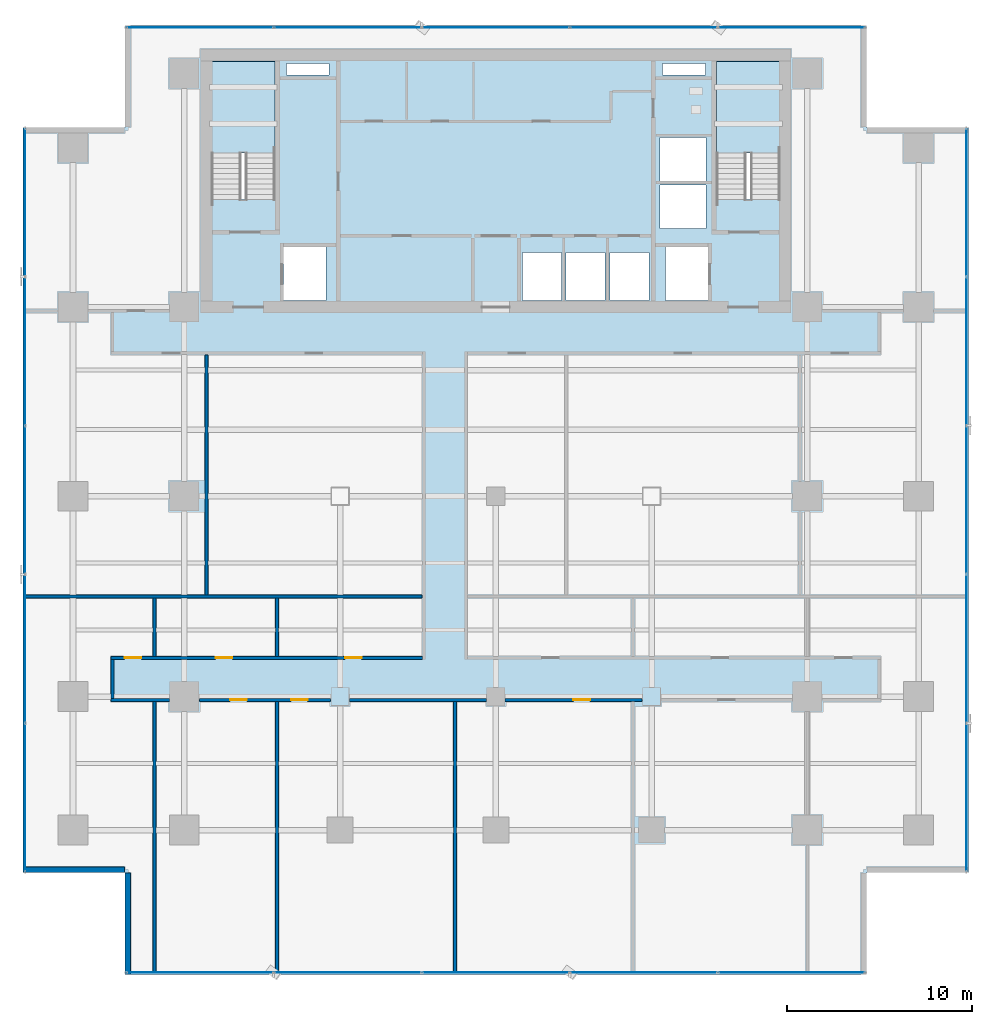
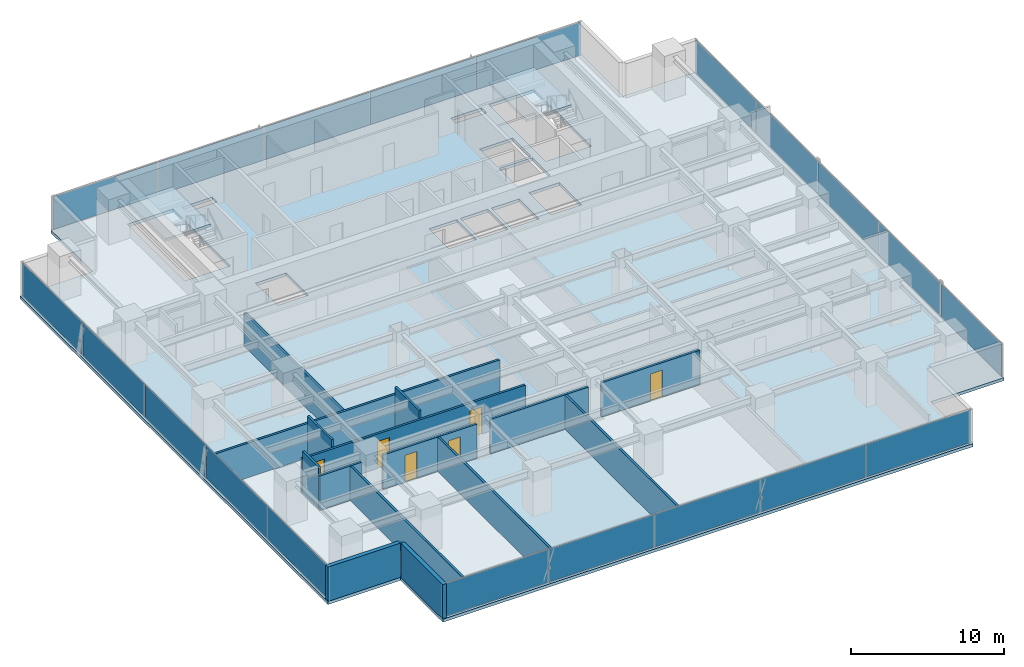
# One storey, part 25 of 34: 20 plates, 15 walls, 6 doors, 3 slabs, 6 openings, 6 elements without a shape of their own.
"""IFC4 building model written with IfcOpenShell, lengths in metres."""

import ifcopenshell
import ifcopenshell.guid

model = None  # the IFC model being written
_history = None  # IfcOwnerHistory: only IFC2X3 demands one
_inside = {}  # id of a spatial element -> (the spatial element, [elements in it])
_under = {}  # id of a project, library or spatial element -> (it, [spatial elements below it])
_declared = {}  # id of a project -> (the project, [libraries it declares])
_typed = {}  # id of a type object -> (the type object, [elements of that type])
_made_of = {}  # id of a material, layer set ... -> (it, [elements and type objects made of it])


def new_model(schema):
    """Start an empty IFC model of exactly this schema.

    Asked for "IFC4X3", IfcOpenShell would pick the latest addendum, in which some entities
    have other attributes; the version numbers below select the first issue.
    IFC2X3 requires an IfcOwnerHistory on every rooted entity: one is made here for all.
    """
    global model, _history
    if schema == "IFC4X3":
        model = ifcopenshell.file(schema_version=(4, 3, 0, 0))
    else:
        model = ifcopenshell.file(schema=schema)
    _inside.clear()
    _under.clear()
    _declared.clear()
    _typed.clear()
    _made_of.clear()
    _history = None
    if model.schema == "IFC2X3":
        org = make("IfcOrganization", Name="unknown")
        user = make(
            "IfcPersonAndOrganization",
            ThePerson=make("IfcPerson", FamilyName="unknown"),
            TheOrganization=org,
        )
        app = make(
            "IfcApplication",
            ApplicationDeveloper=org,
            Version="unknown",
            ApplicationFullName="unknown",
            ApplicationIdentifier="unknown",
        )
        _history = make(
            "IfcOwnerHistory",
            OwningUser=user,
            OwningApplication=app,
            ChangeAction="ADDED",
            CreationDate=0,
        )
    return model


def make(cls, **values):
    """One entity of the class cls with the attributes given. An attribute that is None is left unset."""
    return model.create_entity(
        cls, **{name: value for name, value in values.items() if value is not None}
    )


def rooted(cls, **values):
    """An entity with a GlobalId (a new one), such as an element, a storey or a relation."""
    return make(cls, GlobalId=ifcopenshell.guid.new(), OwnerHistory=_history, **values)


def si_unit(unit_type, name, prefix=None):
    """IfcSIUnit, for example si_unit("LENGTHUNIT", "METRE", prefix="MILLI")."""
    return make("IfcSIUnit", UnitType=unit_type, Prefix=prefix, Name=name)


def assignment(units):
    """IfcUnitAssignment: the units of a project."""
    return None if units is None else make("IfcUnitAssignment", Units=units)


def point(xyz):
    """IfcCartesianPoint."""
    return None if xyz is None else make("IfcCartesianPoint", Coordinates=xyz)


def direction(xyz):
    """IfcDirection."""
    return None if xyz is None else make("IfcDirection", DirectionRatios=xyz)


def frame(location, z_axis=None, x_axis=None):
    """IfcAxis2Placement3D, a coordinate frame: its origin and axes. An axis left out is left unset."""
    return make(
        "IfcAxis2Placement3D",
        Location=point(location),
        Axis=direction(z_axis),
        RefDirection=direction(x_axis),
    )


def frame_2d(location, x_axis=None):
    """IfcAxis2Placement2D, a coordinate frame in the plane: its origin and x axis."""
    return make(
        "IfcAxis2Placement2D", Location=point(location), RefDirection=direction(x_axis)
    )


def origin():
    """The frame at (0, 0, 0) with its axes left unset."""
    return frame((0.0, 0.0, 0.0))


def origin_2d():
    """The frame at (0, 0) in the plane with its x axis left unset."""
    return frame_2d((0.0, 0.0))


def place(relative_to, where):
    """IfcLocalPlacement: puts the frame where relative to a parent placement (None: the world)."""
    return make(
        "IfcLocalPlacement", PlacementRelTo=relative_to, RelativePlacement=where
    )


def context(
    kind, dimensions, precision=None, world=None, true_north=None, identifier=None
):
    """IfcGeometricRepresentationContext, for example the 3D "Model" context."""
    return make(
        "IfcGeometricRepresentationContext",
        ContextIdentifier=identifier,
        ContextType=kind,
        CoordinateSpaceDimension=dimensions,
        Precision=precision,
        WorldCoordinateSystem=world,
        TrueNorth=true_north,
    )


def subcontext(parent, identifier, kind, view, scale=None):
    """IfcGeometricRepresentationSubContext, for example "Body" below "Model"."""
    return make(
        "IfcGeometricRepresentationSubContext",
        ContextIdentifier=identifier,
        ContextType=kind,
        ParentContext=parent,
        TargetScale=scale,
        TargetView=view,
    )


def project(units=None, contexts=None):
    """IfcProject with its units and contexts."""
    return rooted(
        "IfcProject",
        Name="project",
        RepresentationContexts=contexts,
        UnitsInContext=assignment(units),
    )


def spatial(cls, under=None, at=None, **own):
    """A site, building, storey or space (cls), placed at a placement, below another one or the project."""
    s = rooted(cls, ObjectPlacement=at, **own)
    if under is not None:
        _under.setdefault(under.id(), (under, []))[1].append(s)
    return s


def polyline(points):
    """IfcPolyline through the points."""
    return make("IfcPolyline", Points=[point(p) for p in points])


def profile(cls, at=None, kind="AREA", **sizes):
    """A parametric profile (cls). Its sizes go by their IFC names, for example OverallWidth=200.0."""
    return make(cls, ProfileType=kind, Position=at, **sizes)


def rectangle(**sizes):
    """IfcRectangleProfileDef."""
    return profile("IfcRectangleProfileDef", **sizes)


def outline(outer, holes=None, kind="AREA"):
    """IfcArbitraryClosedProfileDef: a profile drawn as a closed curve; with holes, ...WithVoids."""
    if holes is None:
        return make("IfcArbitraryClosedProfileDef", ProfileType=kind, OuterCurve=outer)
    return make(
        "IfcArbitraryProfileDefWithVoids",
        ProfileType=kind,
        OuterCurve=outer,
        InnerCurves=holes,
    )


def extrude(swept, where, along, depth):
    """IfcExtrudedAreaSolid: the profile swept, set in the frame where, extruded along a direction by depth."""
    return make(
        "IfcExtrudedAreaSolid",
        SweptArea=swept,
        Position=where,
        ExtrudedDirection=direction(along),
        Depth=depth,
    )


def shape(context_of_items, identifier, shape_type, items):
    """IfcShapeRepresentation: the items that make up one representation, for example the "Body"."""
    return make(
        "IfcShapeRepresentation",
        ContextOfItems=context_of_items,
        RepresentationIdentifier=identifier,
        RepresentationType=shape_type,
        Items=items,
    )


def source(mapping_origin, context_of_items, identifier, shape_type, items):
    """IfcRepresentationMap: a shape defined once, which mapped items show again and again."""
    return make(
        "IfcRepresentationMap",
        MappingOrigin=mapping_origin,
        MappedRepresentation=shape(context_of_items, identifier, shape_type, items),
    )


def transform(
    local_origin,
    x_axis=None,
    y_axis=None,
    z_axis=None,
    scale=None,
    scale2=None,
    scale3=None,
    uniform=True,
):
    """IfcCartesianTransformationOperator3D, or its non-uniform kind. x_axis, y_axis, z_axis: its Axis1, 2, 3."""
    if uniform:
        return make(
            "IfcCartesianTransformationOperator3D",
            Axis1=direction(x_axis),
            Axis2=direction(y_axis),
            LocalOrigin=point(local_origin),
            Scale=scale,
            Axis3=direction(z_axis),
        )
    return make(
        "IfcCartesianTransformationOperator3DnonUniform",
        Axis1=direction(x_axis),
        Axis2=direction(y_axis),
        LocalOrigin=point(local_origin),
        Scale=scale,
        Axis3=direction(z_axis),
        Scale2=scale2,
        Scale3=scale3,
    )


def mapped(mapping_source, mapping_target):
    """IfcMappedItem: shows the shape of a source again, moved by a transform."""
    return make(
        "IfcMappedItem", MappingSource=mapping_source, MappingTarget=mapping_target
    )


def material(Name=None, Category=None):
    """IfcMaterial."""
    return make("IfcMaterial", Name=Name, Category=Category)


def layer(
    of_material, thickness, ventilated=None, Name=None, Category=None, Priority=None
):
    """IfcMaterialLayer: one layer of a wall or slab, of a material (None: an air gap)."""
    return make(
        "IfcMaterialLayer",
        Material=of_material,
        LayerThickness=thickness,
        IsVentilated=ventilated,
        Name=Name,
        Category=Category,
        Priority=Priority,
    )


def layer_set(layers, Name=None):
    """IfcMaterialLayerSet."""
    return make("IfcMaterialLayerSet", MaterialLayers=layers, LayerSetName=Name)


def made_of(thing, what):
    """Note that an element or type object is made of a material, layer set ...; save() writes the relation."""
    if what is not None:
        _made_of.setdefault(what.id(), (what, []))[1].append(thing)
    return thing


def type_object(cls, material=None, **own):
    """A type object (cls), such as IfcWallType, which elements share."""
    return made_of(rooted(cls, **own), material)


def element(
    cls,
    number,
    at=None,
    inside=None,
    cuts=None,
    type_object=None,
    material=None,
    context=None,
    identifier="Body",
    shape_type=None,
    held_by="IfcProductDefinitionShape",
    body=None,
    shapes=None,
    **own,
):
    """One element of the class cls, such as IfcWall. Its Tag is "e" and its number.

    at: its placement. inside: the storey or other place that contains it. cuts: it is an
    opening in that element (IfcRelVoidsElement). A single representation is given by context,
    identifier, shape_type and body (its items); several are given by shapes. held_by: the class
    of the entity that holds the representations. save() writes the other relations.
    """
    e = rooted(cls, Tag="e%d" % number, ObjectPlacement=at, **own)
    if body is not None:
        shapes = [shape(context, identifier, shape_type, body)]
    if shapes is not None:
        e.Representation = make(held_by, Representations=shapes)
    if inside is not None:
        _inside.setdefault(inside.id(), (inside, []))[1].append(e)
    if cuts is not None:
        rooted(
            "IfcRelVoidsElement", RelatingBuildingElement=cuts, RelatedOpeningElement=e
        )
    if type_object is not None:
        _typed.setdefault(type_object.id(), (type_object, []))[1].append(e)
    return made_of(e, material)


def fill(opening, filler):
    """IfcRelFillsElement: the door or window that sits in an opening."""
    return rooted(
        "IfcRelFillsElement",
        RelatingOpeningElement=opening,
        RelatedBuildingElement=filler,
    )


def aggregate(whole, parts):
    """IfcRelAggregates: a whole, such as a stair, and the parts it consists of."""
    return rooted("IfcRelAggregates", RelatingObject=whole, RelatedObjects=parts)


def save(model, path):
    """Write the relations noted so far, then the file.

    IfcRelAggregates (storeys below a building ...), IfcRelContainedInSpatialStructure (elements
    in a storey), IfcRelDefinesByType, IfcRelAssociatesMaterial and IfcRelDeclares: one each for
    every whole, place, type object, material and project.
    """
    for whole, parts in _under.values():
        aggregate(whole, parts)
    for where, things in _inside.values():
        rooted(
            "IfcRelContainedInSpatialStructure",
            RelatedElements=things,
            RelatingStructure=where,
        )
    for kind, things in _typed.values():
        rooted("IfcRelDefinesByType", RelatedObjects=things, RelatingType=kind)
    for what, things in _made_of.values():
        rooted("IfcRelAssociatesMaterial", RelatedObjects=things, RelatingMaterial=what)
    for by, libraries in _declared.values():
        rooted("IfcRelDeclares", RelatingContext=by, RelatedDefinitions=libraries)
    model.write(path)


model = new_model("IFC4")

# Units and contexts
model_context = context("Model", 3, precision=1e-05, world=origin(), true_north=direction((0.0, 1.0)))
body_context = subcontext(model_context, "Body", "Model", "MODEL_VIEW")
ifc_project = project(units=[si_unit("LENGTHUNIT", "METRE"), si_unit("AREAUNIT", "SQUARE_METRE"), si_unit("VOLUMEUNIT", "CUBIC_METRE"), si_unit("PLANEANGLEUNIT", "RADIAN"), si_unit("MASSUNIT", "GRAM", prefix="KILO")], contexts=[model_context])

# Site, building, storey
site_placement = place(None, origin())
site = spatial("IfcSite", under=ifc_project, at=site_placement, CompositionType="ELEMENT")
building_placement = place(site_placement, origin())
building = spatial("IfcBuilding", under=site, at=building_placement, Name="Sumidabori Civic Tower", CompositionType="ELEMENT")
storey_placement = place(building_placement, frame((0.0, 0.0, 106.39990234375)))
storey = spatial("IfcBuildingStorey", under=building, at=storey_placement, Name="L27", CompositionType="ELEMENT", Elevation=106.39990234375)

# Stair, slab
ifc_material_1 = material(Name="Concrete C40/50", Category="concrete")
stair_type = type_object("IfcStairType", Name="ST-CORE-1600", PredefinedType="HALF_TURN_STAIR", material=ifc_material_1)
stair_1_placement = place(storey_placement, origin())
stair_1 = element("IfcStair", 1, at=stair_1_placement, inside=storey, type_object=stair_type, Name="L27 ST-1", PredefinedType="HALF_TURN_STAIR")
ifc_layer_1 = layer(ifc_material_1, 0.199951171875, Name="Concrete C40/50")
ifc_layer_set_1 = layer_set([ifc_layer_1], Name="Concrete C40/50")
slab_type_1 = type_object("IfcSlabType", Name="SL-LAND-200", PredefinedType="LANDING", material=ifc_layer_set_1)
slab_1_placement = place(storey_placement, frame((0.0, 0.0, 1.60009765625)))
slab_1 = element("IfcSlab", 2, at=slab_1_placement, type_object=slab_type_1, Name="ST-1 landing 1", PredefinedType="LANDING", context=body_context, shape_type="SweptSolid", body=[
    extrude(outline(polyline([(-11.89990234375, 18.52001953125), (-11.89990234375, 23.449951171875), (-15.340087890625, 23.449951171875), (-15.340087890625, 18.52001953125), (-11.89990234375, 18.52001953125)])), origin(), (0.0, 0.0, 1.0), 0.199951171875),
])
aggregate(stair_1, [slab_1])

stair_2_placement = place(storey_placement, origin())
stair_2 = element("IfcStair", 3, at=stair_2_placement, inside=storey, type_object=stair_type, Name="L27 ST-2", PredefinedType="HALF_TURN_STAIR")
slab_2_placement = place(storey_placement, frame((0.0, 0.0, 1.60009765625)))
slab_2 = element("IfcSlab", 4, at=slab_2_placement, type_object=slab_type_1, Name="ST-2 landing 1", PredefinedType="LANDING", context=body_context, shape_type="SweptSolid", body=[
    extrude(outline(polyline([(15.340087890625, 18.52001953125), (15.340087890625, 23.449951171875), (11.89990234375, 23.449951171875), (11.89990234375, 18.52001953125), (15.340087890625, 18.52001953125)])), origin(), (0.0, 0.0, 1.0), 0.199951171875),
])
aggregate(stair_2, [slab_2])

# Slab
ifc_layer_2 = layer(ifc_material_1, 0.239990234375, Name="Concrete C40/50")
ifc_layer_set_2 = layer_set([ifc_layer_2], Name="Concrete C40/50")
slab_type_2 = type_object("IfcSlabType", Name="SL-Z1-240", PredefinedType="FLOOR", material=ifc_layer_set_2)
slab_3_placement = place(storey_placement, frame((0.0, 0.0, -0.239990234375)))
element("IfcSlab", 5, at=slab_3_placement, inside=storey, type_object=slab_type_2, Name="Structural Slab L27", PredefinedType="FLOOR", context=body_context, shape_type="SweptSolid", body=[
    extrude(outline(polyline([(-20.0, -25.800048828125), (20.0, -25.800048828125), (20.0, -20.300048828125), (25.5, -20.300048828125), (25.5, 19.89990234375), (20.0, 19.89990234375), (20.0, 25.39990234375), (-20.0, 25.39990234375), (-20.0, 19.89990234375), (-25.5, 19.89990234375), (-25.5, -20.300048828125), (-20.0, -20.300048828125), (-20.0, -25.800048828125)]), holes=[polyline([(-11.89990234375, 16.0), (-11.89990234375, 23.449951171875), (-15.340087890625, 23.449951171875), (-15.340087890625, 16.0), (-11.89990234375, 16.0)]), polyline([(15.340087890625, 16.0), (15.340087890625, 23.449951171875), (11.89990234375, 23.449951171875), (11.89990234375, 16.0), (15.340087890625, 16.0)]), polyline([(-11.449951171875, 10.550048828125), (-9.14990234375, 10.550048828125), (-9.14990234375, 13.449951171875), (-11.449951171875, 13.449951171875), (-11.449951171875, 10.550048828125)]), polyline([(9.14990234375, 10.550048828125), (11.449951171875, 10.550048828125), (11.449951171875, 13.449951171875), (9.14990234375, 13.449951171875), (9.14990234375, 10.550048828125)]), polyline([(1.449951171875, 10.550048828125), (3.550048828125, 10.550048828125), (3.550048828125, 13.14990234375), (1.449951171875, 13.14990234375), (1.449951171875, 10.550048828125)]), polyline([(3.800048828125, 10.550048828125), (5.89990234375, 10.550048828125), (5.89990234375, 13.14990234375), (3.800048828125, 13.14990234375), (3.800048828125, 10.550048828125)]), polyline([(6.14990234375, 10.550048828125), (8.25, 10.550048828125), (8.25, 13.14990234375), (6.14990234375, 13.14990234375), (6.14990234375, 10.550048828125)]), polyline([(8.85009765625, 14.449951171875), (11.35009765625, 14.449951171875), (11.35009765625, 16.800048828125), (8.85009765625, 16.800048828125), (8.85009765625, 14.449951171875)]), polyline([(8.85009765625, 17.0), (11.35009765625, 17.0), (11.35009765625, 19.35009765625), (8.85009765625, 19.35009765625), (8.85009765625, 17.0)]), polyline([(-11.300048828125, 22.719970703125), (-9.0, 22.719970703125), (-9.0, 23.35009765625), (-11.300048828125, 23.35009765625), (-11.300048828125, 22.719970703125)]), polyline([(9.0, 22.719970703125), (11.300048828125, 22.719970703125), (11.300048828125, 23.35009765625), (9.0, 23.35009765625), (9.0, 22.719970703125)])]), origin(), (0.0, 0.0, 1.0), 0.239990234375),
])

# Curtain wall, plates
ifc_material_2 = material(Name="Anodised Bronze Aluminium AW-6063-T6", Category="aluminium")
ifc_layer_3 = layer(ifc_material_2, 0.179931640625, Name="Anodised Bronze Aluminium AW-6063-T6")
ifc_layer_set_3 = layer_set([ifc_layer_3], Name="Anodised Bronze Aluminium AW-6063-T6")
curtain_wall_type = type_object("IfcCurtainWallType", Name="CW-SYS-3", PredefinedType="NOTDEFINED", material=ifc_layer_set_3)
curtain_wall_1_placement = place(storey_placement, origin())
curtain_wall_1 = element("IfcCurtainWall", 6, at=curtain_wall_1_placement, inside=storey, type_object=curtain_wall_type, Name="Curtain Wall CW:L27:R01", PredefinedType="NOTDEFINED")
ifc_material_3 = material(Name="Low-E Solar-Control Vision Glazing", Category="glass")
ifc_layer_4 = layer(ifc_material_3, 0.028076171875, Name="Low-E Solar-Control Vision Glazing")
ifc_layer_set_4 = layer_set([ifc_layer_4], Name="Low-E Solar-Control Vision Glazing")
plate_type = type_object("IfcPlateType", Name="CW-PNL-28", PredefinedType="CURTAIN_PANEL", material=ifc_layer_set_4)
shared_shape_1 = source(origin(), body_context, "Body", "SweptSolid", [
    extrude(rectangle(XDim=7.890380859375, YDim=0.028076171875, at=origin_2d()), origin(), (0.0, 0.0, 1.0), 2.6201171875),
])
plate_1_placement = place(storey_placement, frame((-15.959716796875, -25.679931640625, 0.06005859375), z_axis=(0.0, 0.0, 1.0), x_axis=(1.0, 0.0, 0.0)))
plate_1 = element("IfcPlate", 7, at=plate_1_placement, type_object=plate_type, Name="CW-3 panel 1.1", PredefinedType="CURTAIN_PANEL", context=body_context, shape_type="MappedRepresentation", body=[
    mapped(shared_shape_1, transform((0.0, 0.0, 0.0), x_axis=(1.0, 0.0, 0.0), y_axis=(0.0, 1.0, 0.0), z_axis=(0.0, 0.0, 1.0), scale=1.0)),
])
plate_2_placement = place(storey_placement, frame((15.959716796875, -25.679931640625, 0.06005859375), z_axis=(0.0, 0.0, 1.0), x_axis=(1.0, 0.0, 0.0)))
plate_2 = element("IfcPlate", 8, at=plate_2_placement, type_object=plate_type, Name="CW-3 panel 5.1", PredefinedType="CURTAIN_PANEL", context=body_context, shape_type="MappedRepresentation", body=[
    mapped(shared_shape_1, transform((0.0, 0.0, 0.0), x_axis=(1.0, 0.0, 0.0), y_axis=(0.0, 1.0, 0.0), z_axis=(0.0, 0.0, 1.0), scale=1.0)),
])

curtain_wall_2_placement = place(storey_placement, origin())
curtain_wall_2 = element("IfcCurtainWall", 9, at=curtain_wall_2_placement, inside=storey, type_object=curtain_wall_type, Name="Curtain Wall CW:L27:R07", PredefinedType="NOTDEFINED")
plate_3_placement = place(storey_placement, frame((15.959716796875, 25.280029296875, 0.06005859375), z_axis=(0.0, 0.0, 1.0), x_axis=(-1.0, 0.0, 0.0)))
plate_3 = element("IfcPlate", 10, at=plate_3_placement, type_object=plate_type, Name="CW-3 panel 1.1", PredefinedType="CURTAIN_PANEL", context=body_context, shape_type="MappedRepresentation", body=[
    mapped(shared_shape_1, transform((0.0, 0.0, 0.0), x_axis=(1.0, 0.0, 0.0), y_axis=(0.0, 1.0, 0.0), z_axis=(0.0, 0.0, 1.0), scale=1.0)),
])
plate_4_placement = place(storey_placement, frame((-15.959716796875, 25.280029296875, 0.06005859375), z_axis=(0.0, 0.0, 1.0), x_axis=(-1.0, 0.0, 0.0)))
plate_4 = element("IfcPlate", 11, at=plate_4_placement, type_object=plate_type, Name="CW-3 panel 5.1", PredefinedType="CURTAIN_PANEL", context=body_context, shape_type="MappedRepresentation", body=[
    mapped(shared_shape_1, transform((0.0, 0.0, 0.0), x_axis=(1.0, 0.0, 0.0), y_axis=(0.0, 1.0, 0.0), z_axis=(0.0, 0.0, 1.0), scale=1.0)),
])

# Plate
shared_shape_2 = source(origin(), body_context, "Body", "SweptSolid", [
    extrude(rectangle(XDim=7.923095703125, YDim=0.028076171875, at=origin_2d()), origin(), (0.0, 0.0, 1.0), 2.6201171875),
])
plate_5_placement = place(storey_placement, frame((-7.988037109375, -25.679931640625, 0.06005859375), z_axis=(0.0, 0.0, 1.0), x_axis=(1.0, 0.0, 0.0)))
plate_5 = element("IfcPlate", 12, at=plate_5_placement, type_object=plate_type, Name="CW-3 panel 2.1", PredefinedType="CURTAIN_PANEL", context=body_context, shape_type="MappedRepresentation", body=[
    mapped(shared_shape_2, transform((0.0, 0.0, 0.0), x_axis=(1.0, 0.0, 0.0), y_axis=(0.0, 1.0, 0.0), z_axis=(0.0, 0.0, 1.0), scale=1.0)),
])

plate_6_placement = place(storey_placement, frame((0.0, -25.679931640625, 0.06005859375), z_axis=(0.0, 0.0, 1.0), x_axis=(1.0, 0.0, 0.0)))
plate_6 = element("IfcPlate", 13, at=plate_6_placement, type_object=plate_type, Name="CW-3 panel 3.1", PredefinedType="CURTAIN_PANEL", context=body_context, shape_type="MappedRepresentation", body=[
    mapped(shared_shape_2, transform((0.0, 0.0, 0.0), x_axis=(1.0, 0.0, 0.0), y_axis=(0.0, 1.0, 0.0), z_axis=(0.0, 0.0, 1.0), scale=1.0)),
])

plate_7_placement = place(storey_placement, frame((7.988037109375, -25.679931640625, 0.06005859375), z_axis=(0.0, 0.0, 1.0), x_axis=(1.0, 0.0, 0.0)))
plate_7 = element("IfcPlate", 14, at=plate_7_placement, type_object=plate_type, Name="CW-3 panel 4.1", PredefinedType="CURTAIN_PANEL", context=body_context, shape_type="MappedRepresentation", body=[
    mapped(shared_shape_2, transform((0.0, 0.0, 0.0), x_axis=(1.0, 0.0, 0.0), y_axis=(0.0, 1.0, 0.0), z_axis=(0.0, 0.0, 1.0), scale=1.0)),
])

aggregate(curtain_wall_1, [plate_1, plate_5, plate_6, plate_7, plate_2])

plate_8_placement = place(storey_placement, frame((7.988037109375, 25.280029296875, 0.06005859375), z_axis=(0.0, 0.0, 1.0), x_axis=(-1.0, 0.0, 0.0)))
plate_8 = element("IfcPlate", 15, at=plate_8_placement, type_object=plate_type, Name="CW-3 panel 2.1", PredefinedType="CURTAIN_PANEL", context=body_context, shape_type="MappedRepresentation", body=[
    mapped(shared_shape_2, transform((0.0, 0.0, 0.0), x_axis=(1.0, 0.0, 0.0), y_axis=(0.0, 1.0, 0.0), z_axis=(0.0, 0.0, 1.0), scale=1.0)),
])

plate_9_placement = place(storey_placement, frame((0.0, 25.280029296875, 0.06005859375), z_axis=(0.0, 0.0, 1.0), x_axis=(-1.0, 0.0, 0.0)))
plate_9 = element("IfcPlate", 16, at=plate_9_placement, type_object=plate_type, Name="CW-3 panel 3.1", PredefinedType="CURTAIN_PANEL", context=body_context, shape_type="MappedRepresentation", body=[
    mapped(shared_shape_2, transform((0.0, 0.0, 0.0), x_axis=(1.0, 0.0, 0.0), y_axis=(0.0, 1.0, 0.0), z_axis=(0.0, 0.0, 1.0), scale=1.0)),
])

plate_10_placement = place(storey_placement, frame((-7.988037109375, 25.280029296875, 0.06005859375), z_axis=(0.0, 0.0, 1.0), x_axis=(-1.0, 0.0, 0.0)))
plate_10 = element("IfcPlate", 17, at=plate_10_placement, type_object=plate_type, Name="CW-3 panel 4.1", PredefinedType="CURTAIN_PANEL", context=body_context, shape_type="MappedRepresentation", body=[
    mapped(shared_shape_2, transform((0.0, 0.0, 0.0), x_axis=(1.0, 0.0, 0.0), y_axis=(0.0, 1.0, 0.0), z_axis=(0.0, 0.0, 1.0), scale=1.0)),
])

aggregate(curtain_wall_2, [plate_3, plate_8, plate_9, plate_10, plate_4])

# Curtain wall, plates
curtain_wall_3_placement = place(storey_placement, origin())
curtain_wall_3 = element("IfcCurtainWall", 18, at=curtain_wall_3_placement, inside=storey, type_object=curtain_wall_type, Name="Curtain Wall CW:L27:R04", PredefinedType="NOTDEFINED")
shared_shape_3 = source(origin(), body_context, "Body", "SweptSolid", [
    extrude(rectangle(XDim=7.930419921875, YDim=0.028076171875, at=origin_2d()), origin(), (0.0, 0.0, 1.0), 2.6201171875),
])
plate_11_placement = place(storey_placement, frame((25.3798828125, -16.23974609375, 0.06005859375), z_axis=(0.0, 0.0, 1.0), x_axis=(0.0, 1.0, 0.0)))
plate_11 = element("IfcPlate", 19, at=plate_11_placement, type_object=plate_type, Name="CW-3 panel 1.1", PredefinedType="CURTAIN_PANEL", context=body_context, shape_type="MappedRepresentation", body=[
    mapped(shared_shape_3, transform((0.0, 0.0, 0.0), x_axis=(1.0, 0.0, 0.0), y_axis=(0.0, 1.0, 0.0), z_axis=(0.0, 0.0, 1.0), scale=1.0)),
])
plate_12_placement = place(storey_placement, frame((25.3798828125, 15.83984375, 0.06005859375), z_axis=(0.0, 0.0, 1.0), x_axis=(0.0, 1.0, 0.0)))
plate_12 = element("IfcPlate", 20, at=plate_12_placement, type_object=plate_type, Name="CW-3 panel 5.1", PredefinedType="CURTAIN_PANEL", context=body_context, shape_type="MappedRepresentation", body=[
    mapped(shared_shape_3, transform((0.0, 0.0, 0.0), x_axis=(1.0, 0.0, 0.0), y_axis=(0.0, 1.0, 0.0), z_axis=(0.0, 0.0, 1.0), scale=1.0)),
])

curtain_wall_4_placement = place(storey_placement, origin())
curtain_wall_4 = element("IfcCurtainWall", 21, at=curtain_wall_4_placement, inside=storey, type_object=curtain_wall_type, Name="Curtain Wall CW:L27:R10", PredefinedType="NOTDEFINED")
plate_13_placement = place(storey_placement, frame((-25.3798828125, 15.83984375, 0.06005859375), z_axis=(0.0, 0.0, 1.0), x_axis=(0.0, -1.0, 0.0)))
plate_13 = element("IfcPlate", 22, at=plate_13_placement, type_object=plate_type, Name="CW-3 panel 1.1", PredefinedType="CURTAIN_PANEL", context=body_context, shape_type="MappedRepresentation", body=[
    mapped(shared_shape_3, transform((0.0, 0.0, 0.0), x_axis=(1.0, 0.0, 0.0), y_axis=(0.0, 1.0, 0.0), z_axis=(0.0, 0.0, 1.0), scale=1.0)),
])
plate_14_placement = place(storey_placement, frame((-25.3798828125, -16.23974609375, 0.06005859375), z_axis=(0.0, 0.0, 1.0), x_axis=(0.0, -1.0, 0.0)))
plate_14 = element("IfcPlate", 23, at=plate_14_placement, type_object=plate_type, Name="CW-3 panel 5.1", PredefinedType="CURTAIN_PANEL", context=body_context, shape_type="MappedRepresentation", body=[
    mapped(shared_shape_3, transform((0.0, 0.0, 0.0), x_axis=(1.0, 0.0, 0.0), y_axis=(0.0, 1.0, 0.0), z_axis=(0.0, 0.0, 1.0), scale=1.0)),
])

# Plate
shared_shape_4 = source(origin(), body_context, "Body", "SweptSolid", [
    extrude(rectangle(XDim=7.962890625, YDim=0.028076171875, at=origin_2d()), origin(), (0.0, 0.0, 1.0), 2.6201171875),
])
plate_15_placement = place(storey_placement, frame((25.3798828125, -8.22802734375, 0.06005859375), z_axis=(0.0, 0.0, 1.0), x_axis=(0.0, 1.0, 0.0)))
plate_15 = element("IfcPlate", 24, at=plate_15_placement, type_object=plate_type, Name="CW-3 panel 2.1", PredefinedType="CURTAIN_PANEL", context=body_context, shape_type="MappedRepresentation", body=[
    mapped(shared_shape_4, transform((0.0, 0.0, 0.0), x_axis=(1.0, 0.0, 0.0), y_axis=(0.0, 1.0, 0.0), z_axis=(0.0, 0.0, 1.0), scale=1.0)),
])

plate_16_placement = place(storey_placement, frame((25.3798828125, -0.199951171875, 0.06005859375), z_axis=(0.0, 0.0, 1.0), x_axis=(0.0, 1.0, 0.0)))
plate_16 = element("IfcPlate", 25, at=plate_16_placement, type_object=plate_type, Name="CW-3 panel 3.1", PredefinedType="CURTAIN_PANEL", context=body_context, shape_type="MappedRepresentation", body=[
    mapped(shared_shape_4, transform((0.0, 0.0, 0.0), x_axis=(1.0, 0.0, 0.0), y_axis=(0.0, 1.0, 0.0), z_axis=(0.0, 0.0, 1.0), scale=1.0)),
])

plate_17_placement = place(storey_placement, frame((25.3798828125, 7.827880859375, 0.06005859375), z_axis=(0.0, 0.0, 1.0), x_axis=(0.0, 1.0, 0.0)))
plate_17 = element("IfcPlate", 26, at=plate_17_placement, type_object=plate_type, Name="CW-3 panel 4.1", PredefinedType="CURTAIN_PANEL", context=body_context, shape_type="MappedRepresentation", body=[
    mapped(shared_shape_4, transform((0.0, 0.0, 0.0), x_axis=(1.0, 0.0, 0.0), y_axis=(0.0, 1.0, 0.0), z_axis=(0.0, 0.0, 1.0), scale=1.0)),
])

aggregate(curtain_wall_3, [plate_11, plate_15, plate_16, plate_17, plate_12])

plate_18_placement = place(storey_placement, frame((-25.3798828125, 7.827880859375, 0.06005859375), z_axis=(0.0, 0.0, 1.0), x_axis=(0.0, -1.0, 0.0)))
plate_18 = element("IfcPlate", 27, at=plate_18_placement, type_object=plate_type, Name="CW-3 panel 2.1", PredefinedType="CURTAIN_PANEL", context=body_context, shape_type="MappedRepresentation", body=[
    mapped(shared_shape_4, transform((0.0, 0.0, 0.0), x_axis=(1.0, 0.0, 0.0), y_axis=(0.0, 1.0, 0.0), z_axis=(0.0, 0.0, 1.0), scale=1.0)),
])

plate_19_placement = place(storey_placement, frame((-25.3798828125, -0.199951171875, 0.06005859375), z_axis=(0.0, 0.0, 1.0), x_axis=(0.0, -1.0, 0.0)))
plate_19 = element("IfcPlate", 28, at=plate_19_placement, type_object=plate_type, Name="CW-3 panel 3.1", PredefinedType="CURTAIN_PANEL", context=body_context, shape_type="MappedRepresentation", body=[
    mapped(shared_shape_4, transform((0.0, 0.0, 0.0), x_axis=(1.0, 0.0, 0.0), y_axis=(0.0, 1.0, 0.0), z_axis=(0.0, 0.0, 1.0), scale=1.0)),
])

plate_20_placement = place(storey_placement, frame((-25.3798828125, -8.22802734375, 0.06005859375), z_axis=(0.0, 0.0, 1.0), x_axis=(0.0, -1.0, 0.0)))
plate_20 = element("IfcPlate", 29, at=plate_20_placement, type_object=plate_type, Name="CW-3 panel 4.1", PredefinedType="CURTAIN_PANEL", context=body_context, shape_type="MappedRepresentation", body=[
    mapped(shared_shape_4, transform((0.0, 0.0, 0.0), x_axis=(1.0, 0.0, 0.0), y_axis=(0.0, 1.0, 0.0), z_axis=(0.0, 0.0, 1.0), scale=1.0)),
])

aggregate(curtain_wall_4, [plate_13, plate_18, plate_19, plate_20, plate_14])

# Walls
ifc_material_4 = material(Name="Precast concrete C40/50", Category="concrete")
ifc_layer_5 = layer(ifc_material_4, 0.300048828125, Name="Precast concrete C40/50")
ifc_layer_set_5 = layer_set([ifc_layer_5], Name="Precast concrete C40/50")
wall_type_1 = type_object("IfcWallType", Name="WL-EXT-POD300", PredefinedType="STANDARD", material=ifc_layer_set_5)
shared_shape_5 = source(origin(), body_context, "Body", "SweptSolid", [
    extrude(rectangle(XDim=5.4599609375, YDim=0.300048828125, at=frame_2d((2.72998046875, 0.0))), origin(), (0.0, 0.0, 1.0), 2.739990234375),
])
for number, where, z_axis, x_axis, name in (
    (30, (-25.47998046875, -20.14990234375, 0.0), (0.0, 0.0, 1.0), (1.0, 0.0, 0.0), "Notched Corner Spandrel Band L27-11"),
    (31, (-19.85009765625, -20.320068359375, 0.0), (0.0, 0.0, 1.0), (0.0, -1.0, 0.0), "Notched Corner Spandrel Band L27-12"),
):
    element("IfcWall", number, at=place(storey_placement, frame(where, z_axis=z_axis, x_axis=x_axis)), inside=storey, type_object=wall_type_1, Name=name, PredefinedType="STANDARD", context=body_context, shape_type="MappedRepresentation", body=[
        mapped(shared_shape_5, transform((0.0, 0.0, 0.0), x_axis=(1.0, 0.0, 0.0), y_axis=(0.0, 1.0, 0.0), z_axis=(0.0, 0.0, 1.0), scale=1.0)),
    ])
ifc_material_5 = material(Name="Gypsum Plasterboard Acoustic Partition")
ifc_layer_6 = layer(ifc_material_5, 0.1650390625, Name="Gypsum Plasterboard Acoustic Partition")
ifc_layer_set_6 = layer_set([ifc_layer_6], Name="Gypsum Plasterboard Acoustic Partition")
wall_type_2 = type_object("IfcWallType", Name="WL-PART-165", PredefinedType="PARTITIONING", material=ifc_layer_set_6)
shared_shape_6 = source(origin(), body_context, "Body", "SweptSolid", [
    extrude(rectangle(XDim=12.9423828125, YDim=0.1650390625, at=frame_2d((6.47119140625, 0.0))), origin(), (0.0, 0.0, 1.0), 2.64501953125),
])
wall_1_placement = place(storey_placement, frame((-15.60009765625, -5.3125, 0.0), z_axis=(0.0, 0.0, 1.0), x_axis=(0.0, 1.0, 0.0)))
element("IfcWall", 32, at=wall_1_placement, inside=storey, type_object=wall_type_2, Name="Interior Partition WL:L27:VX-N1", PredefinedType="PARTITIONING", context=body_context, shape_type="MappedRepresentation", body=[
    mapped(shared_shape_6, transform((0.0, 0.0, 0.0), x_axis=(1.0, 0.0, 0.0), y_axis=(0.0, 1.0, 0.0), z_axis=(0.0, 0.0, 1.0), scale=1.0)),
])

# Wall, openings, doors
shared_shape_7 = source(origin(), body_context, "Body", "SweptSolid", [
    extrude(rectangle(XDim=16.7998046875, YDim=0.1650390625, at=frame_2d((8.39990234375, 0.0))), origin(), (0.0, 0.0, 1.0), 2.7451171875),
])
wall_2_placement = place(storey_placement, frame((-20.764892578125, -8.717529296875, 0.0), z_axis=(0.0, 0.0, 1.0), x_axis=(1.0, 0.0, 0.0)))
wall_2 = element("IfcWall", 33, at=wall_2_placement, inside=storey, type_object=wall_type_2, Name="Interior Partition WL:L27:CORR-MNW", PredefinedType="PARTITIONING", context=body_context, shape_type="MappedRepresentation", body=[
    mapped(shared_shape_7, transform((0.0, 0.0, 0.0), x_axis=(1.0, 0.0, 0.0), y_axis=(0.0, 1.0, 0.0), z_axis=(0.0, 0.0, 1.0), scale=1.0)),
])
opening_1_placement = place(wall_2_placement, frame((5.655029296875, 0.0, 0.0)))
opening_1 = element("IfcOpeningElement", 34, at=opening_1_placement, cuts=wall_2, Name="Opening DR-1", PredefinedType="OPENING", context=body_context, shape_type="SweptSolid", body=[
    extrude(rectangle(XDim=0.89990234375, YDim=2.14990234375, at=frame_2d((0.449951171875, 1.074951171875))), frame((0.0, 0.094482421875, 0.0), z_axis=(0.0, -1.0, 0.0), x_axis=(1.0, 0.0, 0.0)), (0.0, 0.0, 1.0), 0.18896484375),
])
opening_2_placement = place(wall_2_placement, frame((12.6337890625, 0.0, 0.0)))
opening_2 = element("IfcOpeningElement", 35, at=opening_2_placement, cuts=wall_2, Name="Opening DR-1", PredefinedType="OPENING", context=body_context, shape_type="SweptSolid", body=[
    extrude(rectangle(XDim=0.89990234375, YDim=2.14990234375, at=frame_2d((0.449951171875, 1.074951171875))), frame((0.0, 0.094482421875, 0.0), z_axis=(0.0, -1.0, 0.0), x_axis=(1.0, 0.0, 0.0)), (0.0, 0.0, 1.0), 0.18896484375),
])
opening_3_placement = place(wall_2_placement, frame((0.75390625, 0.0, 0.0)))
opening_3 = element("IfcOpeningElement", 36, at=opening_3_placement, cuts=wall_2, Name="Opening DR-1", PredefinedType="OPENING", context=body_context, shape_type="SweptSolid", body=[
    extrude(rectangle(XDim=0.89990234375, YDim=2.14990234375, at=frame_2d((0.449951171875, 1.074951171875))), frame((0.0, 0.094482421875, 0.0), z_axis=(0.0, -1.0, 0.0), x_axis=(1.0, 0.0, 0.0)), (0.0, 0.0, 1.0), 0.18896484375),
])
ifc_material_6 = material(Name="Japanese Hinoki Timber", Category="wood")
door_type = type_object("IfcDoorType", Name="DR-INT-900", OperationType="NOTDEFINED", PredefinedType="DOOR", material=ifc_material_6)
shared_shape_8 = source(origin(), body_context, "Body", "SweptSolid", [
    extrude(rectangle(XDim=0.89990234375, YDim=2.14990234375, at=frame_2d((0.449951171875, 1.074951171875))), frame((0.0, 0.02490234375, 0.0), z_axis=(0.0, -1.0, 0.0), x_axis=(1.0, 0.0, 0.0)), (0.0, 0.0, 1.0), 0.050048828125),
])
door_1_placement = place(opening_1_placement, origin())
door_1 = element("IfcDoor", 37, at=door_1_placement, inside=storey, type_object=door_type, Name="Door DR:L27:D07", OperationType="SINGLE_SWING_LEFT", OverallHeight=2.14990234375, OverallWidth=0.89990234375, PredefinedType="DOOR", context=body_context, shape_type="MappedRepresentation", body=[
    mapped(shared_shape_8, transform((0.0, 0.0, 0.0), x_axis=(1.0, 0.0, 0.0), y_axis=(0.0, 1.0, 0.0), z_axis=(0.0, 0.0, 1.0), scale=1.0)),
])
fill(opening_1, door_1)
door_2_placement = place(opening_2_placement, origin())
door_2 = element("IfcDoor", 38, at=door_2_placement, inside=storey, type_object=door_type, Name="Door DR:L27:D08", OperationType="SINGLE_SWING_RIGHT", OverallHeight=2.14990234375, OverallWidth=0.89990234375, PredefinedType="DOOR", context=body_context, shape_type="MappedRepresentation", body=[
    mapped(shared_shape_8, transform((0.0, 0.0, 0.0), x_axis=(1.0, 0.0, 0.0), y_axis=(0.0, 1.0, 0.0), z_axis=(0.0, 0.0, 1.0), scale=1.0)),
])
fill(opening_2, door_2)
door_3_placement = place(opening_3_placement, origin())
door_3 = element("IfcDoor", 39, at=door_3_placement, inside=storey, type_object=door_type, Name="Door DR:L27:D11", OperationType="SINGLE_SWING_LEFT", OverallHeight=2.14990234375, OverallWidth=0.89990234375, PredefinedType="DOOR", context=body_context, shape_type="MappedRepresentation", body=[
    mapped(shared_shape_8, transform((0.0, 0.0, 0.0), x_axis=(1.0, 0.0, 0.0), y_axis=(0.0, 1.0, 0.0), z_axis=(0.0, 0.0, 1.0), scale=1.0)),
])
fill(opening_3, door_3)

# Wall
shared_shape_9 = source(origin(), body_context, "Body", "SweptSolid", [
    extrude(rectangle(XDim=3.15478515625, YDim=0.1650390625, at=frame_2d((1.577392578125, 0.0))), origin(), (0.0, 0.0, 1.0), 2.7451171875),
])
wall_3_placement = place(storey_placement, frame((-20.764892578125, -10.982421875, 0.0), z_axis=(0.0, 0.0, 1.0), x_axis=(1.0, 0.0, 0.0)))
element("IfcWall", 40, at=wall_3_placement, inside=storey, type_object=wall_type_2, Name="Interior Partition WL:L27:CORR-SS-1", PredefinedType="PARTITIONING", context=body_context, shape_type="MappedRepresentation", body=[
    mapped(shared_shape_9, transform((0.0, 0.0, 0.0), x_axis=(1.0, 0.0, 0.0), y_axis=(0.0, 1.0, 0.0), z_axis=(0.0, 0.0, 1.0), scale=1.0)),
])

# Wall, openings, doors
shared_shape_10 = source(origin(), body_context, "Body", "SweptSolid", [
    extrude(rectangle(XDim=7.080078125, YDim=0.1650390625, at=frame_2d((3.5400390625, 0.0))), origin(), (0.0, 0.0, 1.0), 2.7451171875),
])
wall_4_placement = place(storey_placement, frame((-15.989990234375, -10.982421875, 0.0), z_axis=(0.0, 0.0, 1.0), x_axis=(1.0, 0.0, 0.0)))
wall_4 = element("IfcWall", 41, at=wall_4_placement, inside=storey, type_object=wall_type_2, Name="Interior Partition WL:L27:CORR-SS-2", PredefinedType="PARTITIONING", context=body_context, shape_type="MappedRepresentation", body=[
    mapped(shared_shape_10, transform((0.0, 0.0, 0.0), x_axis=(1.0, 0.0, 0.0), y_axis=(0.0, 1.0, 0.0), z_axis=(0.0, 0.0, 1.0), scale=1.0)),
])
opening_4_placement = place(wall_4_placement, frame((1.663818359375, 0.0, 0.0)))
opening_4 = element("IfcOpeningElement", 42, at=opening_4_placement, cuts=wall_4, Name="Opening DR-1", PredefinedType="OPENING", context=body_context, shape_type="SweptSolid", body=[
    extrude(rectangle(XDim=0.89990234375, YDim=2.14990234375, at=frame_2d((0.449951171875, 1.074951171875))), frame((0.0, 0.094482421875, 0.0), z_axis=(0.0, -1.0, 0.0), x_axis=(1.0, 0.0, 0.0)), (0.0, 0.0, 1.0), 0.18896484375),
])
opening_5_placement = place(wall_4_placement, frame((4.9462890625, 0.0, 0.0)))
opening_5 = element("IfcOpeningElement", 43, at=opening_5_placement, cuts=wall_4, Name="Opening DR-1", PredefinedType="OPENING", context=body_context, shape_type="SweptSolid", body=[
    extrude(rectangle(XDim=0.89990234375, YDim=2.14990234375, at=frame_2d((0.449951171875, 1.074951171875))), frame((0.0, 0.094482421875, 0.0), z_axis=(0.0, -1.0, 0.0), x_axis=(1.0, 0.0, 0.0)), (0.0, 0.0, 1.0), 0.18896484375),
])
door_4_placement = place(opening_4_placement, origin())
door_4 = element("IfcDoor", 44, at=door_4_placement, inside=storey, type_object=door_type, Name="Door DR:L27:D13", OperationType="SINGLE_SWING_LEFT", OverallHeight=2.14990234375, OverallWidth=0.89990234375, PredefinedType="DOOR", context=body_context, shape_type="MappedRepresentation", body=[
    mapped(shared_shape_8, transform((0.0, 0.0, 0.0), x_axis=(1.0, 0.0, 0.0), y_axis=(0.0, 1.0, 0.0), z_axis=(0.0, 0.0, 1.0), scale=1.0)),
])
fill(opening_4, door_4)
door_5_placement = place(opening_5_placement, origin())
door_5 = element("IfcDoor", 45, at=door_5_placement, inside=storey, type_object=door_type, Name="Door DR:L27:D14", OperationType="SINGLE_SWING_RIGHT", OverallHeight=2.14990234375, OverallWidth=0.89990234375, PredefinedType="DOOR", context=body_context, shape_type="MappedRepresentation", body=[
    mapped(shared_shape_8, transform((0.0, 0.0, 0.0), x_axis=(1.0, 0.0, 0.0), y_axis=(0.0, 1.0, 0.0), z_axis=(0.0, 0.0, 1.0), scale=1.0)),
])
fill(opening_5, door_5)

# Wall
shared_shape_11 = source(origin(), body_context, "Body", "SweptSolid", [
    extrude(rectangle(XDim=7.3798828125, YDim=0.1650390625, at=frame_2d((3.68994140625, 0.0))), origin(), (0.0, 0.0, 1.0), 2.7451171875),
])
wall_5_placement = place(storey_placement, frame((-7.889892578125, -10.982421875, 0.0), z_axis=(0.0, 0.0, 1.0), x_axis=(1.0, 0.0, 0.0)))
element("IfcWall", 46, at=wall_5_placement, inside=storey, type_object=wall_type_2, Name="Interior Partition WL:L27:CORR-SS-3", PredefinedType="PARTITIONING", context=body_context, shape_type="MappedRepresentation", body=[
    mapped(shared_shape_11, transform((0.0, 0.0, 0.0), x_axis=(1.0, 0.0, 0.0), y_axis=(0.0, 1.0, 0.0), z_axis=(0.0, 0.0, 1.0), scale=1.0)),
])

# Wall, opening, door
wall_6_placement = place(storey_placement, frame((0.510009765625, -10.982421875, 0.0), z_axis=(0.0, 0.0, 1.0), x_axis=(1.0, 0.0, 0.0)))
wall_6 = element("IfcWall", 47, at=wall_6_placement, inside=storey, type_object=wall_type_2, Name="Interior Partition WL:L27:CORR-SS-4", PredefinedType="PARTITIONING", context=body_context, shape_type="MappedRepresentation", body=[
    mapped(shared_shape_11, transform((0.0, 0.0, 0.0), x_axis=(1.0, 0.0, 0.0), y_axis=(0.0, 1.0, 0.0), z_axis=(0.0, 0.0, 1.0), scale=1.0)),
])
opening_6_placement = place(wall_6_placement, frame((3.673828125, 0.0, 0.0)))
opening_6 = element("IfcOpeningElement", 48, at=opening_6_placement, cuts=wall_6, Name="Opening DR-1", PredefinedType="OPENING", context=body_context, shape_type="SweptSolid", body=[
    extrude(rectangle(XDim=0.89990234375, YDim=2.14990234375, at=frame_2d((0.449951171875, 1.074951171875))), frame((0.0, 0.094482421875, 0.0), z_axis=(0.0, -1.0, 0.0), x_axis=(1.0, 0.0, 0.0)), (0.0, 0.0, 1.0), 0.18896484375),
])
door_6_placement = place(opening_6_placement, origin())
door_6 = element("IfcDoor", 49, at=door_6_placement, inside=storey, type_object=door_type, Name="Door DR:L27:D15", OperationType="SINGLE_SWING_LEFT", OverallHeight=2.14990234375, OverallWidth=0.89990234375, PredefinedType="DOOR", context=body_context, shape_type="MappedRepresentation", body=[
    mapped(shared_shape_8, transform((0.0, 0.0, 0.0), x_axis=(1.0, 0.0, 0.0), y_axis=(0.0, 1.0, 0.0), z_axis=(0.0, 0.0, 1.0), scale=1.0)),
])
fill(opening_6, door_6)

# Walls
shared_shape_12 = source(origin(), body_context, "Body", "SweptSolid", [
    extrude(rectangle(XDim=2.090087890625, YDim=0.1650390625, at=frame_2d((1.044921875, 0.0))), origin(), (0.0, 0.0, 1.0), 3.360107421875),
])
wall_7_placement = place(storey_placement, frame((-20.6826171875, -10.89501953125, 0.0), z_axis=(0.0, 0.0, 1.0), x_axis=(0.0, 1.0, 0.0)))
element("IfcWall", 50, at=wall_7_placement, inside=storey, type_object=wall_type_2, Name="Interior Partition WL:L27:CORR-VSW", PredefinedType="PARTITIONING", context=body_context, shape_type="MappedRepresentation", body=[
    mapped(shared_shape_12, transform((0.0, 0.0, 0.0), x_axis=(1.0, 0.0, 0.0), y_axis=(0.0, 1.0, 0.0), z_axis=(0.0, 0.0, 1.0), scale=1.0)),
])
shared_shape_13 = source(origin(), body_context, "Body", "SweptSolid", [
    extrude(rectangle(XDim=21.380126953125, YDim=0.1650390625, at=frame_2d((10.68994140625, 0.0))), origin(), (0.0, 0.0, 1.0), 2.7451171875),
])
wall_8_placement = place(storey_placement, frame((-25.35009765625, -5.39990234375, 0.0), z_axis=(0.0, 0.0, 1.0), x_axis=(1.0, 0.0, 0.0)))
element("IfcWall", 51, at=wall_8_placement, inside=storey, type_object=wall_type_2, Name="Interior Partition WL:L27:BAND-Y-1", PredefinedType="PARTITIONING", context=body_context, shape_type="MappedRepresentation", body=[
    mapped(shared_shape_13, transform((0.0, 0.0, 0.0), x_axis=(1.0, 0.0, 0.0), y_axis=(0.0, 1.0, 0.0), z_axis=(0.0, 0.0, 1.0), scale=1.0)),
])
shared_shape_14 = source(origin(), body_context, "Body", "SweptSolid", [
    extrude(rectangle(XDim=14.579833984375, YDim=0.1650390625, at=frame_2d((7.2900390625, 0.0))), origin(), (0.0, 0.0, 1.0), 2.7451171875),
])
for number, where, z_axis, x_axis, name in (
    (52, (-18.39990234375, -25.64990234375, 0.0), (0.0, 0.0, 1.0), (0.0, 1.0, 0.0), "Interior Partition WL:L27:VX-S1-1"),
    (53, (-11.800048828125, -25.64990234375, 0.0), (0.0, 0.0, 1.0), (0.0, 1.0, 0.0), "Interior Partition WL:L27:VX-S2-1"),
    (54, (-2.199951171875, -25.64990234375, 0.0), (0.0, 0.0, 1.0), (0.0, 1.0, 0.0), "Interior Partition WL:L27:VX-S3"),
):
    element("IfcWall", number, at=place(storey_placement, frame(where, z_axis=z_axis, x_axis=x_axis)), inside=storey, type_object=wall_type_2, Name=name, PredefinedType="PARTITIONING", context=body_context, shape_type="MappedRepresentation", body=[
        mapped(shared_shape_14, transform((0.0, 0.0, 0.0), x_axis=(1.0, 0.0, 0.0), y_axis=(0.0, 1.0, 0.0), z_axis=(0.0, 0.0, 1.0), scale=1.0)),
    ])
shared_shape_15 = source(origin(), body_context, "Body", "SweptSolid", [
    extrude(rectangle(XDim=3.142333984375, YDim=0.1650390625, at=frame_2d((1.5712890625, 0.0))), origin(), (0.0, 0.0, 1.0), 3.360107421875),
])
for number, where, z_axis, x_axis, name in (
    (55, (-18.39990234375, -8.6298828125, 0.0), (0.0, 0.0, 1.0), (0.0, 1.0, 0.0), "Interior Partition WL:L27:VX-S1-2"),
    (56, (-11.800048828125, -8.6298828125, 0.0), (0.0, 0.0, 1.0), (0.0, 1.0, 0.0), "Interior Partition WL:L27:VX-S2-2"),
):
    element("IfcWall", number, at=place(storey_placement, frame(where, z_axis=z_axis, x_axis=x_axis)), inside=storey, type_object=wall_type_2, Name=name, PredefinedType="PARTITIONING", context=body_context, shape_type="MappedRepresentation", body=[
        mapped(shared_shape_15, transform((0.0, 0.0, 0.0), x_axis=(1.0, 0.0, 0.0), y_axis=(0.0, 1.0, 0.0), z_axis=(0.0, 0.0, 1.0), scale=1.0)),
    ])

save(model, "model.ifc")
